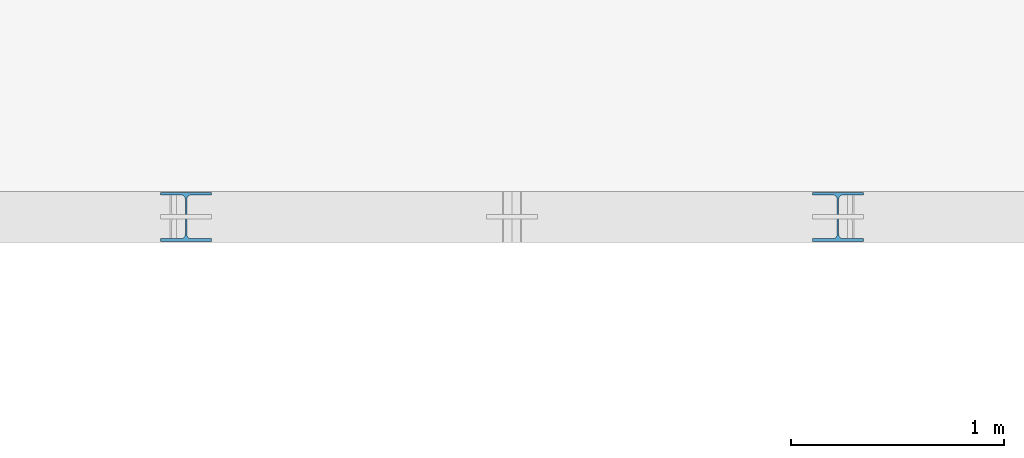
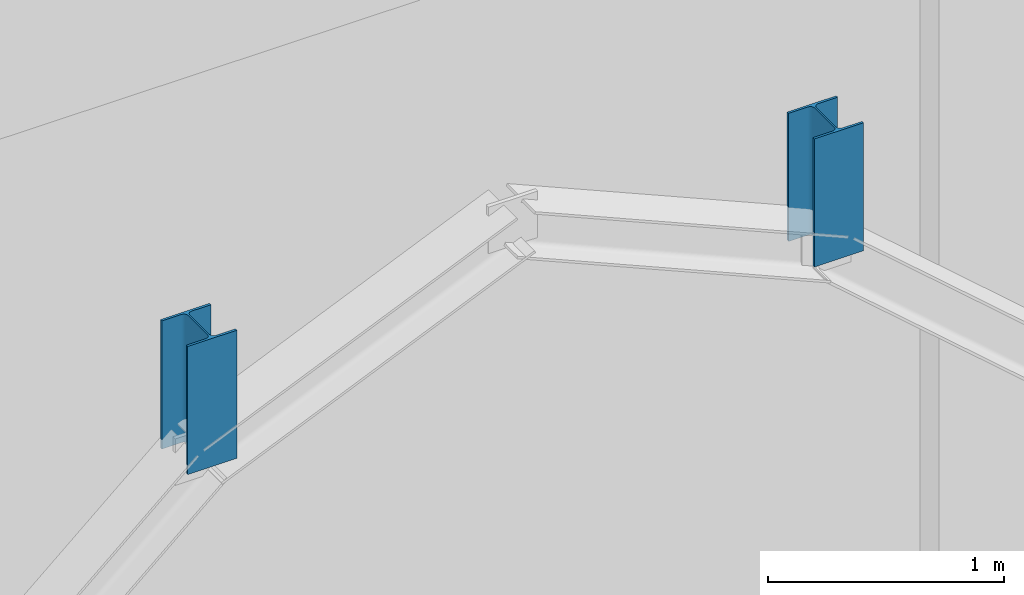
# One storey, part 40 of 138: 2 members.
"""IFC4 building model written with IfcOpenShell, lengths in metres."""

import ifcopenshell
import ifcopenshell.guid

model = None  # the IFC model being written
_history = None  # IfcOwnerHistory: only IFC2X3 demands one
_inside = {}  # id of a spatial element -> (the spatial element, [elements in it])
_under = {}  # id of a project, library or spatial element -> (it, [spatial elements below it])
_declared = {}  # id of a project -> (the project, [libraries it declares])
_typed = {}  # id of a type object -> (the type object, [elements of that type])
_made_of = {}  # id of a material, layer set ... -> (it, [elements and type objects made of it])


def new_model(schema):
    """Start an empty IFC model of exactly this schema.

    Asked for "IFC4X3", IfcOpenShell would pick the latest addendum, in which some entities
    have other attributes; the version numbers below select the first issue.
    IFC2X3 requires an IfcOwnerHistory on every rooted entity: one is made here for all.
    """
    global model, _history
    if schema == "IFC4X3":
        model = ifcopenshell.file(schema_version=(4, 3, 0, 0))
    else:
        model = ifcopenshell.file(schema=schema)
    _inside.clear()
    _under.clear()
    _declared.clear()
    _typed.clear()
    _made_of.clear()
    _history = None
    if model.schema == "IFC2X3":
        org = make("IfcOrganization", Name="unknown")
        user = make(
            "IfcPersonAndOrganization",
            ThePerson=make("IfcPerson", FamilyName="unknown"),
            TheOrganization=org,
        )
        app = make(
            "IfcApplication",
            ApplicationDeveloper=org,
            Version="unknown",
            ApplicationFullName="unknown",
            ApplicationIdentifier="unknown",
        )
        _history = make(
            "IfcOwnerHistory",
            OwningUser=user,
            OwningApplication=app,
            ChangeAction="ADDED",
            CreationDate=0,
        )
    return model


def make(cls, **values):
    """One entity of the class cls with the attributes given. An attribute that is None is left unset."""
    return model.create_entity(
        cls, **{name: value for name, value in values.items() if value is not None}
    )


def rooted(cls, **values):
    """An entity with a GlobalId (a new one), such as an element, a storey or a relation."""
    return make(cls, GlobalId=ifcopenshell.guid.new(), OwnerHistory=_history, **values)


def si_unit(unit_type, name, prefix=None):
    """IfcSIUnit, for example si_unit("LENGTHUNIT", "METRE", prefix="MILLI")."""
    return make("IfcSIUnit", UnitType=unit_type, Prefix=prefix, Name=name)


def assignment(units):
    """IfcUnitAssignment: the units of a project."""
    return None if units is None else make("IfcUnitAssignment", Units=units)


def point(xyz):
    """IfcCartesianPoint."""
    return None if xyz is None else make("IfcCartesianPoint", Coordinates=xyz)


def direction(xyz):
    """IfcDirection."""
    return None if xyz is None else make("IfcDirection", DirectionRatios=xyz)


def frame(location, z_axis=None, x_axis=None):
    """IfcAxis2Placement3D, a coordinate frame: its origin and axes. An axis left out is left unset."""
    return make(
        "IfcAxis2Placement3D",
        Location=point(location),
        Axis=direction(z_axis),
        RefDirection=direction(x_axis),
    )


def frame_2d(location, x_axis=None):
    """IfcAxis2Placement2D, a coordinate frame in the plane: its origin and x axis."""
    return make(
        "IfcAxis2Placement2D", Location=point(location), RefDirection=direction(x_axis)
    )


def origin():
    """The frame at (0, 0, 0) with its axes left unset."""
    return frame((0.0, 0.0, 0.0))


def origin_2d():
    """The frame at (0, 0) in the plane with its x axis left unset."""
    return frame_2d((0.0, 0.0))


def place(relative_to, where):
    """IfcLocalPlacement: puts the frame where relative to a parent placement (None: the world)."""
    return make(
        "IfcLocalPlacement", PlacementRelTo=relative_to, RelativePlacement=where
    )


def context(
    kind, dimensions, precision=None, world=None, true_north=None, identifier=None
):
    """IfcGeometricRepresentationContext, for example the 3D "Model" context."""
    return make(
        "IfcGeometricRepresentationContext",
        ContextIdentifier=identifier,
        ContextType=kind,
        CoordinateSpaceDimension=dimensions,
        Precision=precision,
        WorldCoordinateSystem=world,
        TrueNorth=true_north,
    )


def subcontext(parent, identifier, kind, view, scale=None):
    """IfcGeometricRepresentationSubContext, for example "Body" below "Model"."""
    return make(
        "IfcGeometricRepresentationSubContext",
        ContextIdentifier=identifier,
        ContextType=kind,
        ParentContext=parent,
        TargetScale=scale,
        TargetView=view,
    )


def project(units=None, contexts=None):
    """IfcProject with its units and contexts."""
    return rooted(
        "IfcProject",
        Name="project",
        RepresentationContexts=contexts,
        UnitsInContext=assignment(units),
    )


def spatial(cls, under=None, at=None, **own):
    """A site, building, storey or space (cls), placed at a placement, below another one or the project."""
    s = rooted(cls, ObjectPlacement=at, **own)
    if under is not None:
        _under.setdefault(under.id(), (under, []))[1].append(s)
    return s


def profile(cls, at=None, kind="AREA", **sizes):
    """A parametric profile (cls). Its sizes go by their IFC names, for example OverallWidth=200.0."""
    return make(cls, ProfileType=kind, Position=at, **sizes)


def i_section(**sizes):
    """IfcIShapeProfileDef."""
    return profile("IfcIShapeProfileDef", **sizes)


def extrude(swept, where, along, depth):
    """IfcExtrudedAreaSolid: the profile swept, set in the frame where, extruded along a direction by depth."""
    return make(
        "IfcExtrudedAreaSolid",
        SweptArea=swept,
        Position=where,
        ExtrudedDirection=direction(along),
        Depth=depth,
    )


def shape(context_of_items, identifier, shape_type, items):
    """IfcShapeRepresentation: the items that make up one representation, for example the "Body"."""
    return make(
        "IfcShapeRepresentation",
        ContextOfItems=context_of_items,
        RepresentationIdentifier=identifier,
        RepresentationType=shape_type,
        Items=items,
    )


def material(Name=None, Category=None):
    """IfcMaterial."""
    return make("IfcMaterial", Name=Name, Category=Category)


def material_profile(
    of_material, cross_section, Name=None, Category=None, Priority=None
):
    """IfcMaterialProfile: a cross section and its material."""
    return make(
        "IfcMaterialProfile",
        Name=Name,
        Material=of_material,
        Profile=cross_section,
        Priority=Priority,
        Category=Category,
    )


def profile_set(profiles, Name=None, composite=None):
    """IfcMaterialProfileSet."""
    return make(
        "IfcMaterialProfileSet",
        Name=Name,
        MaterialProfiles=profiles,
        CompositeProfile=composite,
    )


def made_of(thing, what):
    """Note that an element or type object is made of a material, layer set ...; save() writes the relation."""
    if what is not None:
        _made_of.setdefault(what.id(), (what, []))[1].append(thing)
    return thing


def type_object(cls, material=None, **own):
    """A type object (cls), such as IfcWallType, which elements share."""
    return made_of(rooted(cls, **own), material)


def element(
    cls,
    number,
    at=None,
    inside=None,
    cuts=None,
    type_object=None,
    material=None,
    context=None,
    identifier="Body",
    shape_type=None,
    held_by="IfcProductDefinitionShape",
    body=None,
    shapes=None,
    **own,
):
    """One element of the class cls, such as IfcWall. Its Tag is "e" and its number.

    at: its placement. inside: the storey or other place that contains it. cuts: it is an
    opening in that element (IfcRelVoidsElement). A single representation is given by context,
    identifier, shape_type and body (its items); several are given by shapes. held_by: the class
    of the entity that holds the representations. save() writes the other relations.
    """
    e = rooted(cls, Tag="e%d" % number, ObjectPlacement=at, **own)
    if body is not None:
        shapes = [shape(context, identifier, shape_type, body)]
    if shapes is not None:
        e.Representation = make(held_by, Representations=shapes)
    if inside is not None:
        _inside.setdefault(inside.id(), (inside, []))[1].append(e)
    if cuts is not None:
        rooted(
            "IfcRelVoidsElement", RelatingBuildingElement=cuts, RelatedOpeningElement=e
        )
    if type_object is not None:
        _typed.setdefault(type_object.id(), (type_object, []))[1].append(e)
    return made_of(e, material)


def aggregate(whole, parts):
    """IfcRelAggregates: a whole, such as a stair, and the parts it consists of."""
    return rooted("IfcRelAggregates", RelatingObject=whole, RelatedObjects=parts)


def save(model, path):
    """Write the relations noted so far, then the file.

    IfcRelAggregates (storeys below a building ...), IfcRelContainedInSpatialStructure (elements
    in a storey), IfcRelDefinesByType, IfcRelAssociatesMaterial and IfcRelDeclares: one each for
    every whole, place, type object, material and project.
    """
    for whole, parts in _under.values():
        aggregate(whole, parts)
    for where, things in _inside.values():
        rooted(
            "IfcRelContainedInSpatialStructure",
            RelatedElements=things,
            RelatingStructure=where,
        )
    for kind, things in _typed.values():
        rooted("IfcRelDefinesByType", RelatedObjects=things, RelatingType=kind)
    for what, things in _made_of.values():
        rooted("IfcRelAssociatesMaterial", RelatedObjects=things, RelatingMaterial=what)
    for by, libraries in _declared.values():
        rooted("IfcRelDeclares", RelatingContext=by, RelatedDefinitions=libraries)
    model.write(path)


model = new_model("IFC4")

# Units and contexts
model_context = context("Model", 3, precision=1e-05, world=origin(), true_north=direction((0.0, 1.0)))
body_context = subcontext(model_context, "Body", "Model", "MODEL_VIEW")
ifc_project = project(units=[si_unit("LENGTHUNIT", "METRE"), si_unit("AREAUNIT", "SQUARE_METRE"), si_unit("VOLUMEUNIT", "CUBIC_METRE"), si_unit("PLANEANGLEUNIT", "RADIAN"), si_unit("MASSUNIT", "GRAM", prefix="KILO"), si_unit("THERMODYNAMICTEMPERATUREUNIT", "KELVIN"), si_unit("POWERUNIT", "WATT")], contexts=[model_context])

# Site, building, storey
site_placement = place(None, origin())
site = spatial("IfcSite", under=ifc_project, at=site_placement, CompositionType="ELEMENT")
building_placement = place(site_placement, origin())
building = spatial("IfcBuilding", under=site, at=building_placement, Name="Tavuni Mirador Residences", CompositionType="ELEMENT")
storey_placement = place(building_placement, origin())
storey = spatial("IfcBuildingStorey", under=building, at=storey_placement, Name="L00", CompositionType="ELEMENT", Elevation=0.0)

# Members
ifc_material = material(Name="Structural steel S355", Category="steel")
ifc_material_profile = material_profile(ifc_material, i_section(OverallWidth=0.239990234375, OverallDepth=0.22998046875, WebThickness=0.007568359375, FlangeThickness=0.011962890625, FilletRadius=0.02099609375, at=origin_2d()), Name="HEA 240", Category="steel")
ifc_profile_set = profile_set([ifc_material_profile], Name="Structural steel S355")
member_type = type_object("IfcMemberType", Name="MT-CH-HEA240", PredefinedType="CHORD", material=ifc_profile_set)
for number, where, z_axis, x_axis, name in (
    (1, (70.46875, 69.60009765625, 6.301513671875), (0.0, 0.0, 1.0), (1.0, 0.0, 0.0), "ARCH-HALL-S-04-V1"),
    (2, (73.53125, 69.60009765625, 6.301513671875), (0.0, 0.0, 1.0), (1.0, 0.0, 0.0), "ARCH-HALL-S-04-V2"),
):
    element("IfcMember", number, at=place(storey_placement, frame(where, z_axis=z_axis, x_axis=x_axis)), inside=storey, type_object=member_type, Name=name, PredefinedType="CHORD", context=body_context, shape_type="SweptSolid", body=[
        extrude(i_section(OverallWidth=0.239990234375, OverallDepth=0.22998046875, WebThickness=0.007568359375, FlangeThickness=0.011962890625, FilletRadius=0.02099609375, at=origin_2d()), origin(), (0.0, 0.0, 1.0), 0.661865234375),
    ])

save(model, "model.ifc")
